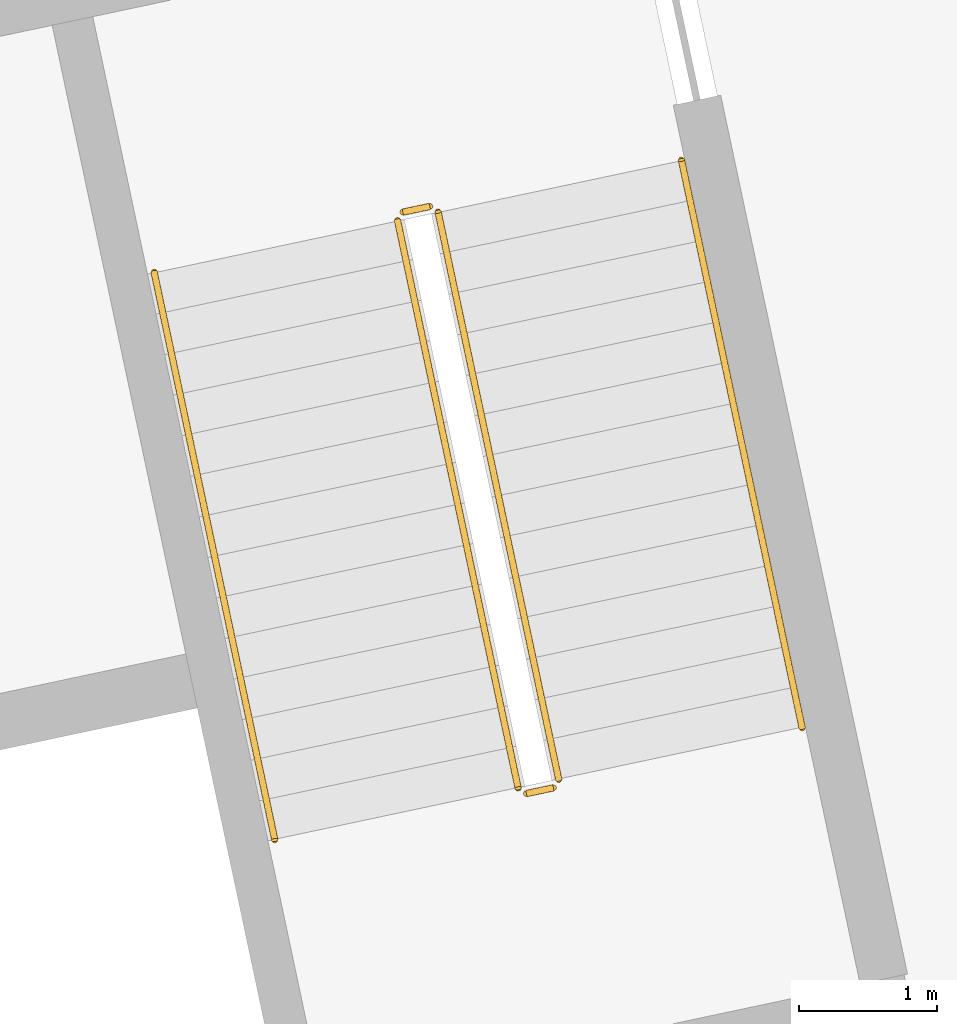
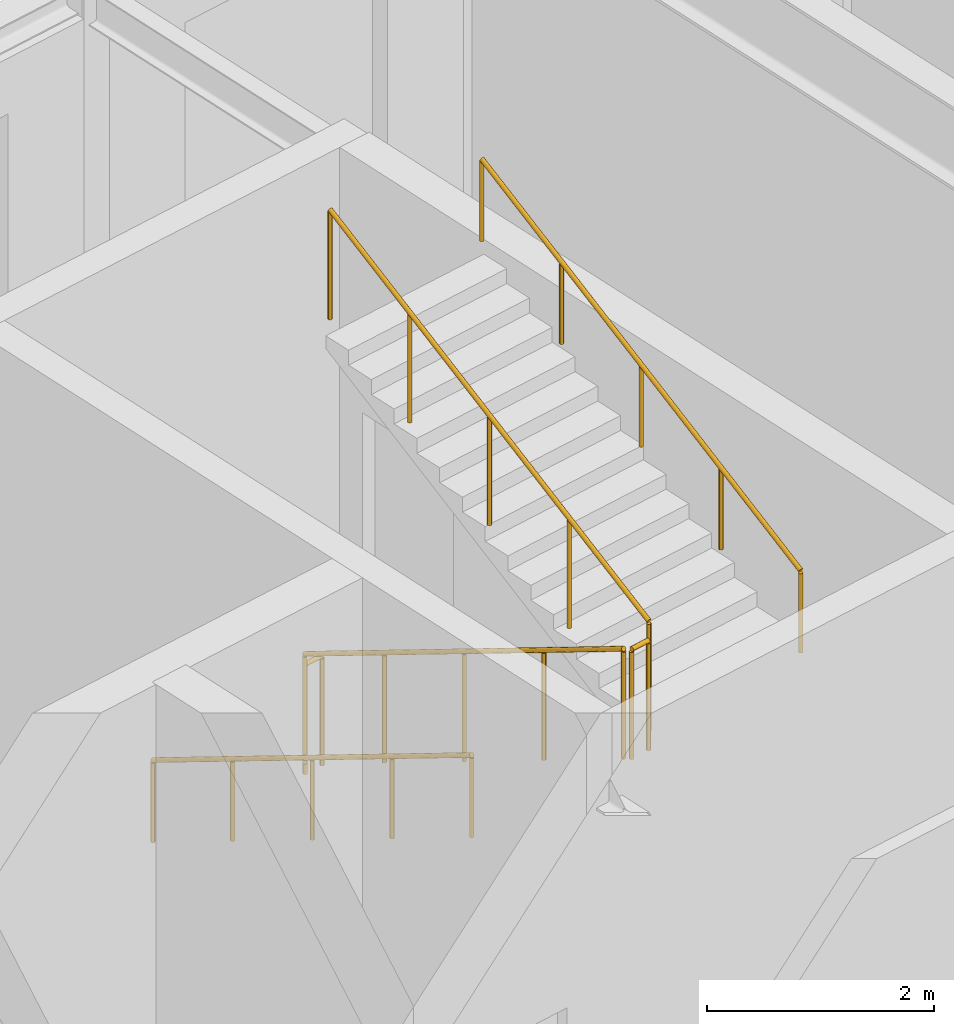
# One storey, part 171 of 182: 6 railings.
"""IFC4 building model written with IfcOpenShell, lengths in metres."""

from ifc_helpers import new_model, si_unit, direction, frame, origin, origin_2d, place, context, subcontext, project, spatial, circle, extrude, material, type_object, element, save


model = new_model("IFC4")

# Units and contexts
model_context = context("Model", 3, precision=1e-05, world=origin(), true_north=direction((0.0, 1.0)))
body_context = subcontext(model_context, "Body", "Model", "MODEL_VIEW")
ifc_project = project(units=[si_unit("LENGTHUNIT", "METRE"), si_unit("AREAUNIT", "SQUARE_METRE"), si_unit("VOLUMEUNIT", "CUBIC_METRE"), si_unit("PLANEANGLEUNIT", "RADIAN"), si_unit("MASSUNIT", "GRAM", prefix="KILO")], contexts=[model_context])

# Site, building, storey
site_placement = place(None, origin())
site = spatial("IfcSite", under=ifc_project, at=site_placement, CompositionType="ELEMENT")
building_placement = place(site_placement, origin())
building = spatial("IfcBuilding", under=site, at=building_placement, Name="Okhra Congress Centre", CompositionType="ELEMENT")
storey_placement = place(building_placement, frame((0.0, 0.0, 7.199951171875)))
storey = spatial("IfcBuildingStorey", under=building, at=storey_placement, Name="L01", CompositionType="ELEMENT", Elevation=7.199951171875)

# Railings
ifc_material_1 = material(Name="Painted steel tube handrail on wall brackets", Category="steel")
railing_type_1 = type_object("IfcRailingType", Name="Steel handrail 900", PredefinedType="HANDRAIL", material=ifc_material_1)
railing_1_placement = place(storey_placement, frame((105.94091796875, 55.196044921875, 0.16015625)))
element("IfcRailing", 1, at=railing_1_placement, inside=storey, type_object=railing_type_1, Name="L01 BS2B stair handrail 1", PredefinedType="HANDRAIL", context=body_context, shape_type="SweptSolid", body=[
    extrude(circle(Radius=0.02392578125, at=origin_2d()), frame((0.0, 0.0, 0.8759765625), z_axis=(0.183466421502, -0.863066668889, 0.4705911147), x_axis=(0.978143927149, 0.207928972925, 0.0)), (0.0, 0.0, 1.0), 4.760009765625),
    extrude(circle(Radius=0.02099609375, at=origin_2d()), origin(), (0.0, 0.0, 1.0), 0.851806640625),
    extrude(circle(Radius=0.02099609375, at=origin_2d()), frame((0.21826171875, -1.027099609375, 0.56005859375)), (0.0, 0.0, 1.0), 0.851806640625),
    extrude(circle(Radius=0.02099609375, at=origin_2d()), frame((0.4365234375, -2.05419921875, 1.1201171875)), (0.0, 0.0, 1.0), 0.851806640625),
    extrude(circle(Radius=0.02099609375, at=origin_2d()), frame((0.655029296875, -3.0810546875, 1.679931640625)), (0.0, 0.0, 1.0), 0.851806640625),
    extrude(circle(Radius=0.02099609375, at=origin_2d()), frame((0.873291015625, -4.108154296875, 2.239990234375)), (0.0, 0.0, 1.0), 0.851806640625),
])
railing_2_placement = place(storey_placement, frame((110.62890625, 51.898681640625, 2.56005859375)))
element("IfcRailing", 2, at=railing_2_placement, inside=storey, type_object=railing_type_1, Name="L01 BS2B stair handrail 2", PredefinedType="HANDRAIL", context=body_context, shape_type="SweptSolid", body=[
    extrude(circle(Radius=0.02392578125, at=origin_2d()), frame((0.0, 0.0, 0.8759765625), z_axis=(-0.183466421502, 0.863066668889, 0.4705911147), x_axis=(-0.978143927149, -0.207928972925, 0.0)), (0.0, 0.0, 1.0), 4.760009765625),
    extrude(circle(Radius=0.02099609375, at=origin_2d()), origin(), (0.0, 0.0, 1.0), 0.851806640625),
    extrude(circle(Radius=0.02099609375, at=origin_2d()), frame((-0.21826171875, 1.027099609375, 0.56005859375)), (0.0, 0.0, 1.0), 0.851806640625),
    extrude(circle(Radius=0.02099609375, at=origin_2d()), frame((-0.4365234375, 2.05419921875, 1.1201171875)), (0.0, 0.0, 1.0), 0.851806640625),
    extrude(circle(Radius=0.02099609375, at=origin_2d()), frame((-0.655029296875, 3.0810546875, 1.679931640625)), (0.0, 0.0, 1.0), 0.851806640625),
    extrude(circle(Radius=0.02099609375, at=origin_2d()), frame((-0.873291015625, 4.108154296875, 2.239990234375)), (0.0, 0.0, 1.0), 0.851806640625),
])
ifc_material_2 = material(Name="Painted steel tube guard with vertical steel balusters", Category="steel")
railing_type_2 = type_object("IfcRailingType", Name="Steel stair guard 1200", PredefinedType="GUARDRAIL", material=ifc_material_2)
railing_3_placement = place(storey_placement, frame((107.70166015625, 55.5703125, 0.16015625)))
element("IfcRailing", 3, at=railing_3_placement, inside=storey, type_object=railing_type_2, Name="L01 BS2B stair guard 1", PredefinedType="GUARDRAIL", context=body_context, shape_type="SweptSolid", body=[
    extrude(circle(Radius=0.02392578125, at=origin_2d()), frame((0.0, 0.0, 1.17578125), z_axis=(0.183408737451, -0.863087872992, 0.470574710881), x_axis=(0.97815826, 0.207861536591, 0.0)), (0.0, 0.0, 1.0), 4.760009765625),
    extrude(circle(Radius=0.02099609375, at=origin_2d()), origin(), (0.0, 0.0, 1.0), 1.15185546875),
    extrude(circle(Radius=0.02099609375, at=origin_2d()), frame((0.21826171875, -1.027099609375, 0.56005859375)), (0.0, 0.0, 1.0), 1.15185546875),
    extrude(circle(Radius=0.02099609375, at=origin_2d()), frame((0.4365234375, -2.05419921875, 1.1201171875)), (0.0, 0.0, 1.0), 1.15185546875),
    extrude(circle(Radius=0.02099609375, at=origin_2d()), frame((0.65478515625, -3.081298828125, 1.679931640625)), (0.0, 0.0, 1.0), 1.15185546875),
    extrude(circle(Radius=0.02099609375, at=origin_2d()), frame((0.873046875, -4.1083984375, 2.239990234375)), (0.0, 0.0, 1.0), 1.15185546875),
])
railing_4_placement = place(storey_placement, frame((108.634033203125, 51.423583984375, 2.400146484375)))
element("IfcRailing", 4, at=railing_4_placement, inside=storey, type_object=railing_type_2, Name="L01 BS2B stair guard 2", PredefinedType="GUARDRAIL", context=body_context, shape_type="SweptSolid", body=[
    extrude(circle(Radius=0.02392578125, at=origin_2d()), frame((0.0, 0.0, 1.17578125), z_axis=(0.978211583308, 0.207610448392, 0.0), x_axis=(-0.207610448392, 0.978211583308, 0.0)), (0.0, 0.0, 1.0), 0.199951171875),
    extrude(circle(Radius=0.02099609375, at=origin_2d()), origin(), (0.0, 0.0, 1.0), 1.15185546875),
    extrude(circle(Radius=0.02099609375, at=origin_2d()), frame((0.195556640625, 0.04150390625, 0.0)), (0.0, 0.0, 1.0), 1.15185546875),
])
railing_5_placement = place(storey_placement, frame((108.8681640625, 51.5244140625, 2.56005859375)))
element("IfcRailing", 5, at=railing_5_placement, inside=storey, type_object=railing_type_2, Name="L01 BS2B stair guard 3", PredefinedType="GUARDRAIL", context=body_context, shape_type="SweptSolid", body=[
    extrude(circle(Radius=0.02392578125, at=origin_2d()), frame((0.0, 0.0, 1.17578125), z_axis=(-0.183466421502, 0.863066668889, 0.4705911147), x_axis=(-0.978143927149, -0.207928972925, 0.0)), (0.0, 0.0, 1.0), 4.760009765625),
    extrude(circle(Radius=0.02099609375, at=origin_2d()), origin(), (0.0, 0.0, 1.0), 1.15185546875),
    extrude(circle(Radius=0.02099609375, at=origin_2d()), frame((-0.21826171875, 1.027099609375, 0.56005859375)), (0.0, 0.0, 1.0), 1.15185546875),
    extrude(circle(Radius=0.02099609375, at=origin_2d()), frame((-0.4365234375, 2.05419921875, 1.1201171875)), (0.0, 0.0, 1.0), 1.15185546875),
    extrude(circle(Radius=0.02099609375, at=origin_2d()), frame((-0.655029296875, 3.0810546875, 1.679931640625)), (0.0, 0.0, 1.0), 1.15185546875),
    extrude(circle(Radius=0.02099609375, at=origin_2d()), frame((-0.873291015625, 4.108154296875, 2.239990234375)), (0.0, 0.0, 1.0), 1.15185546875),
])
railing_6_placement = place(storey_placement, frame((107.739990234375, 55.629638671875, 0.0)))
element("IfcRailing", 6, at=railing_6_placement, inside=storey, type_object=railing_type_2, Name="L01 BS2B stair guard 4", PredefinedType="GUARDRAIL", context=body_context, shape_type="SweptSolid", body=[
    extrude(circle(Radius=0.02392578125, at=origin_2d()), frame((0.0, 0.0, 1.17578125), z_axis=(0.97826412705, 0.207362720198, 0.0), x_axis=(-0.207362720198, 0.97826412705, 0.0)), (0.0, 0.0, 1.0), 0.2001953125),
    extrude(circle(Radius=0.02099609375, at=origin_2d()), origin(), (0.0, 0.0, 1.0), 1.15185546875),
    extrude(circle(Radius=0.02099609375, at=origin_2d()), frame((0.19580078125, 0.04150390625, 0.0)), (0.0, 0.0, 1.0), 1.15185546875),
])

save(model, "model.ifc")
